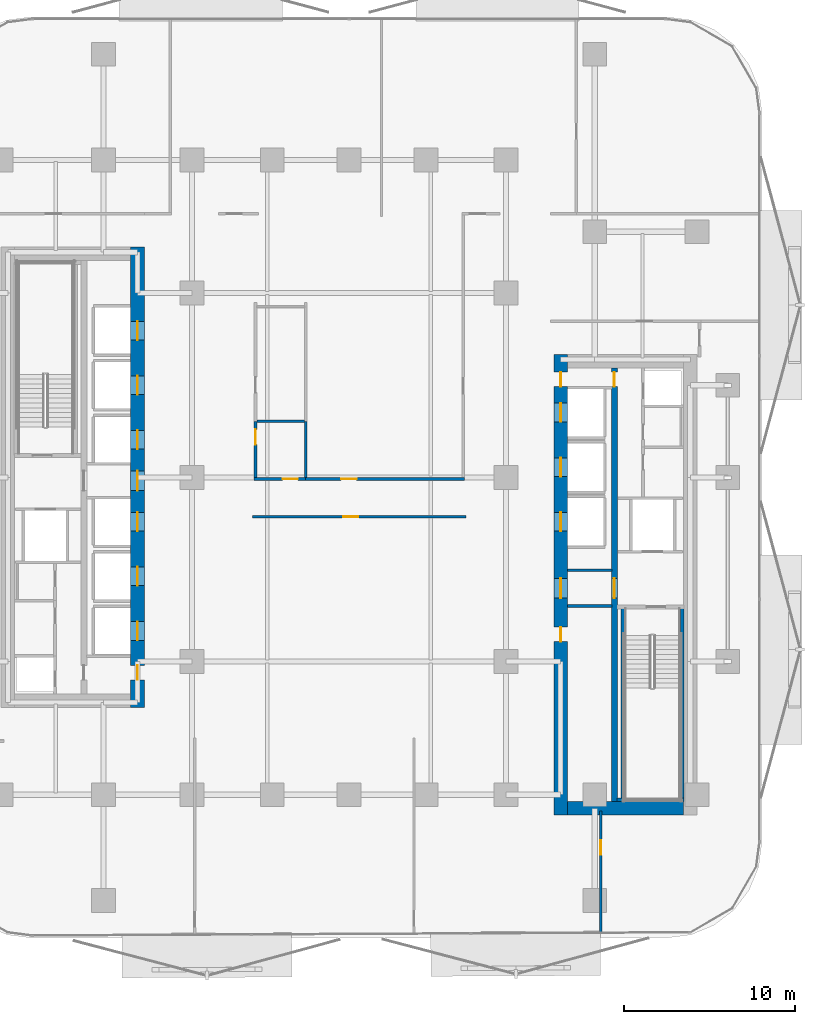
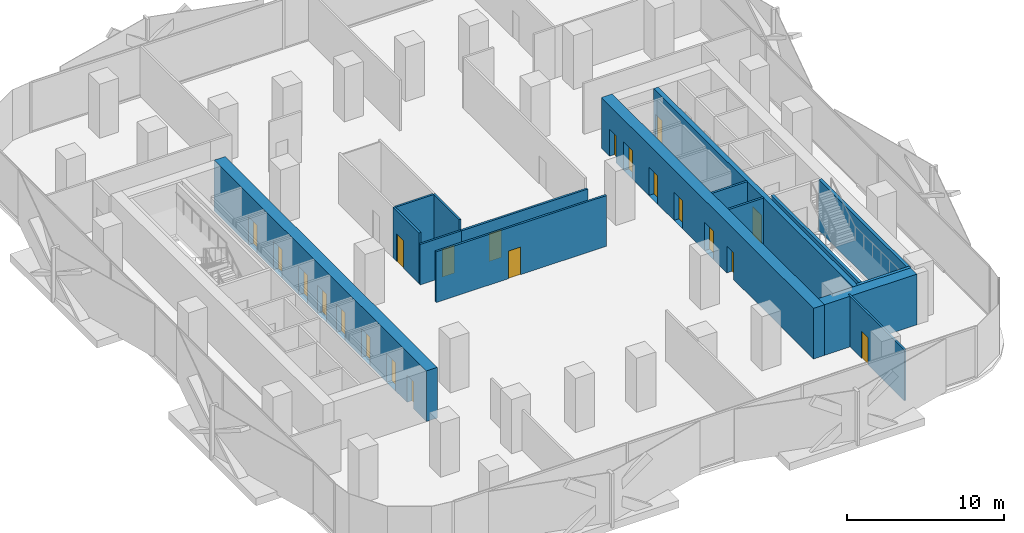
# One storey, part 4 of 16: 21 doors, 16 walls, 21 openings.
"""IFC4 building model written with IfcOpenShell, lengths in metres."""

from ifc_helpers import new_model, si_unit, direction, frame, frame_2d, origin, place, context, subcontext, project, spatial, rectangle, extrude, material, layer, layer_set, type_object, element, fill, save


model = new_model("IFC4")

# Units and contexts
model_context = context("Model", 3, precision=1e-05, world=origin(), true_north=direction((0.0, 1.0)))
body_context = subcontext(model_context, "Body", "Model", "MODEL_VIEW")
ifc_project = project(units=[si_unit("LENGTHUNIT", "METRE"), si_unit("AREAUNIT", "SQUARE_METRE"), si_unit("VOLUMEUNIT", "CUBIC_METRE"), si_unit("PLANEANGLEUNIT", "RADIAN"), si_unit("MASSUNIT", "GRAM", prefix="KILO")], contexts=[model_context])

# Site, building, storey
site_placement = place(None, origin())
site = spatial("IfcSite", under=ifc_project, at=site_placement, CompositionType="ELEMENT")
building_placement = place(site_placement, origin())
building = spatial("IfcBuilding", under=site, at=building_placement, Name="Khairoan Windgate Tower", CompositionType="ELEMENT")
storey_placement = place(building_placement, frame((0.0, 0.0, 55.39990234375)))
storey = spatial("IfcBuildingStorey", under=building, at=storey_placement, Name="L13", CompositionType="ELEMENT", Elevation=55.39990234375)

# Walls
ifc_material_1 = material(Name="Concrete C40/50", Category="concrete")
ifc_layer_1 = layer(ifc_material_1, 0.159912109375, Name="Concrete C40/50")
ifc_layer_set_1 = layer_set([ifc_layer_1], Name="Concrete C40/50")
wall_type_1 = type_object("IfcWallType", Name="Core and Hoistway Enclosure Wall", PredefinedType="STANDARD", material=ifc_layer_set_1)
for number, where, z_axis, x_axis, name in (
    (1, (12.800048828125, -5.449951171875, 0.0), (0.0, 0.0, 1.0), (1.0, 0.0, 0.0), "L13 Core Shaft Wall SW-EV1-L13"),
    (2, (12.800048828125, -7.5400390625, 0.0), (0.0, 0.0, 1.0), (1.0, 0.0, 0.0), "L13 Core Shaft Wall SW-EV2-L13"),
):
    element("IfcWall", number, at=place(storey_placement, frame(where, z_axis=z_axis, x_axis=x_axis)), inside=storey, type_object=wall_type_1, Name=name, PredefinedType="STANDARD", context=body_context, shape_type="SweptSolid", body=[
        extrude(rectangle(XDim=2.599853515625, YDim=0.159912109375, at=frame_2d((1.2998046875, 0.0))), origin(), (0.0, 0.0, 1.0), 3.940185546875),
    ])

# Wall, opening, door
ifc_material_2 = material(Name="Acoustic Fire-Rated Gypsum Partition", Category="gypsum")
ifc_layer_2 = layer(ifc_material_2, 0.139892578125, Name="Acoustic Fire-Rated Gypsum Partition")
ifc_layer_set_2 = layer_set([ifc_layer_2], Name="Acoustic Fire-Rated Gypsum Partition")
wall_type_2 = type_object("IfcWallType", Name="Inter-Tenancy Compartment Wall", PredefinedType="PARTITIONING", material=ifc_layer_set_2)
wall_1_placement = place(storey_placement, frame((14.756103515625, -26.693359375, 0.0), z_axis=(0.0, 0.0, 1.0), x_axis=(0.0, 1.0, 0.0)))
wall_1 = element("IfcWall", 3, at=wall_1_placement, inside=storey, type_object=wall_type_2, Name="L13 Interior Partition 034", PredefinedType="PARTITIONING", context=body_context, shape_type="SweptSolid", body=[
    extrude(rectangle(XDim=7.13330078125, YDim=0.139892578125, at=frame_2d((3.566650390625, 0.0))), origin(), (0.0, 0.0, 1.0), 3.940185546875),
])
opening_1_placement = place(wall_1_placement, frame((4.585693359375, 0.0, 0.0)))
opening_1 = element("IfcOpeningElement", 4, at=opening_1_placement, cuts=wall_1, Name="Opening FD-SRV", PredefinedType="OPENING", context=body_context, shape_type="SweptSolid", body=[
    extrude(rectangle(XDim=0.85009765625, YDim=2.10009765625, at=frame_2d((0.425048828125, 1.050048828125))), frame((0.0, 0.079833984375, 0.0), z_axis=(0.0, -1.0, 0.0), x_axis=(1.0, 0.0, 0.0)), (0.0, 0.0, 1.0), 0.159912109375),
])
ifc_material_3 = material(Name="Steel S355", Category="steel")
door_type_1 = type_object("IfcDoorType", Name="Core Service and Riser Fire Door FD-SRV 850x2100", OperationType="NOTDEFINED", PredefinedType="DOOR", material=ifc_material_3)
door_1_placement = place(opening_1_placement, origin())
door_1 = element("IfcDoor", 5, at=door_1_placement, inside=storey, type_object=door_type_1, Name="L13 L13-45-L13-46 Door", OperationType="SINGLE_SWING_LEFT", OverallHeight=2.10009765625, OverallWidth=0.85009765625, PredefinedType="DOOR", context=body_context, shape_type="SweptSolid", body=[
    extrude(rectangle(XDim=0.85009765625, YDim=2.10009765625, at=frame_2d((0.425048828125, 1.050048828125))), frame((0.0, 0.02490234375, 0.0), z_axis=(0.0, -1.0, 0.0), x_axis=(1.0, 0.0, 0.0)), (0.0, 0.0, 1.0), 0.050048828125),
])
fill(opening_1, door_1)

# Walls
wall_2_placement = place(storey_placement, frame((-5.409912109375, 3.280029296875, 0.0), z_axis=(0.0, 0.0, 1.0), x_axis=(1.0, 0.0, 0.0)))
element("IfcWall", 6, at=wall_2_placement, inside=storey, type_object=wall_type_2, Name="L13 Interior Partition 035", PredefinedType="PARTITIONING", context=body_context, shape_type="SweptSolid", body=[
    extrude(rectangle(XDim=2.7998046875, YDim=0.139892578125, at=frame_2d((1.39990234375, 0.0))), origin(), (0.0, 0.0, 1.0), 3.940185546875),
])
wall_3_placement = place(storey_placement, frame((-2.5400390625, -0.02001953125, 0.0), z_axis=(0.0, 0.0, 1.0), x_axis=(0.0, 1.0, 0.0)))
element("IfcWall", 7, at=wall_3_placement, inside=storey, type_object=wall_type_2, Name="L13 Interior Partition 036", PredefinedType="PARTITIONING", context=body_context, shape_type="SweptSolid", body=[
    extrude(rectangle(XDim=3.300048828125, YDim=0.139892578125, at=frame_2d((1.64990234375, 0.0))), origin(), (0.0, 0.0, 1.0), 3.940185546875),
])

# Wall, opening, door
ifc_material_4 = material(Name="Acoustic Fire-Rated Gypsum Partition", Category="gypsum")
ifc_layer_3 = layer(ifc_material_4, 0.14990234375, Name="Acoustic Fire-Rated Gypsum Partition")
ifc_layer_set_3 = layer_set([ifc_layer_3], Name="Acoustic Fire-Rated Gypsum Partition")
wall_type_3 = type_object("IfcWallType", Name="Rated Corridor Partition Wall", PredefinedType="PARTITIONING", material=ifc_layer_set_3)
wall_4_placement = place(storey_placement, frame((-5.56005859375, -0.094970703125, 0.0), z_axis=(0.0, 0.0, 1.0), x_axis=(1.0, 0.0, 0.0)))
wall_4 = element("IfcWall", 8, at=wall_4_placement, inside=storey, type_object=wall_type_3, Name="L13 Interior Partition 012", PredefinedType="PARTITIONING", context=body_context, shape_type="SweptSolid", body=[
    extrude(rectangle(XDim=3.02001953125, YDim=0.14990234375, at=frame_2d((1.510009765625, 0.0))), origin(), (0.0, 0.0, 1.0), 3.14013671875),
])
opening_2_placement = place(wall_4_placement, frame((1.659912109375, 0.0, 0.0)))
opening_2 = element("IfcOpeningElement", 9, at=opening_2_placement, cuts=wall_4, Name="Opening FD-ENT", PredefinedType="OPENING", context=body_context, shape_type="SweptSolid", body=[
    extrude(rectangle(XDim=0.89990234375, YDim=2.14990234375, at=frame_2d((0.449951171875, 1.074951171875))), frame((0.0, 0.0849609375, 0.0), z_axis=(0.0, -1.0, 0.0), x_axis=(1.0, 0.0, 0.0)), (0.0, 0.0, 1.0), 0.169921875),
])
ifc_material_5 = material(Name="Timber Fire-Rated Core", Category="wood")
door_type_2 = type_object("IfcDoorType", Name="Unit and Office Fire Entrance Door FD-ENT 900x2150", OperationType="NOTDEFINED", PredefinedType="DOOR", material=ifc_material_5)
door_2_placement = place(opening_2_placement, origin())
door_2 = element("IfcDoor", 10, at=door_2_placement, inside=storey, type_object=door_type_2, Name="L13 L13-31-L13-47 Door", OperationType="SINGLE_SWING_LEFT", OverallHeight=2.14990234375, OverallWidth=0.89990234375, PredefinedType="DOOR", context=body_context, shape_type="SweptSolid", body=[
    extrude(rectangle(XDim=0.89990234375, YDim=2.14990234375, at=frame_2d((0.449951171875, 1.074951171875))), frame((0.0, 0.02490234375, 0.0), z_axis=(0.0, -1.0, 0.0), x_axis=(1.0, 0.0, 0.0)), (0.0, 0.0, 1.0), 0.050048828125),
])
fill(opening_2, door_2)

wall_5_placement = place(storey_placement, frame((-2.5400390625, -0.094970703125, 0.0), z_axis=(0.0, 0.0, 1.0), x_axis=(1.0, 0.0, 0.0)))
wall_5 = element("IfcWall", 11, at=wall_5_placement, inside=storey, type_object=wall_type_3, Name="L13 Interior Partition 013", PredefinedType="PARTITIONING", context=body_context, shape_type="SweptSolid", body=[
    extrude(rectangle(XDim=9.300048828125, YDim=0.14990234375, at=frame_2d((4.64990234375, 0.0))), origin(), (0.0, 0.0, 1.0), 3.14013671875),
])
opening_3_placement = place(wall_5_placement, frame((2.077392578125, 0.0, 0.0)))
opening_3 = element("IfcOpeningElement", 12, at=opening_3_placement, cuts=wall_5, Name="Opening FD-ENT", PredefinedType="OPENING", context=body_context, shape_type="SweptSolid", body=[
    extrude(rectangle(XDim=0.89990234375, YDim=2.14990234375, at=frame_2d((0.449951171875, 1.074951171875))), frame((0.0, 0.0849609375, 0.0), z_axis=(0.0, -1.0, 0.0), x_axis=(1.0, 0.0, 0.0)), (0.0, 0.0, 1.0), 0.169921875),
])
door_3_placement = place(opening_3_placement, origin())
door_3 = element("IfcDoor", 13, at=door_3_placement, inside=storey, type_object=door_type_2, Name="L13 L13-31-L13-49 Door", OperationType="SINGLE_SWING_RIGHT", OverallHeight=2.14990234375, OverallWidth=0.89990234375, PredefinedType="DOOR", context=body_context, shape_type="SweptSolid", body=[
    extrude(rectangle(XDim=0.89990234375, YDim=2.14990234375, at=frame_2d((0.449951171875, 1.074951171875))), frame((0.0, 0.02490234375, 0.0), z_axis=(0.0, -1.0, 0.0), x_axis=(1.0, 0.0, 0.0)), (0.0, 0.0, 1.0), 0.050048828125),
])
fill(opening_3, door_3)

wall_6_placement = place(storey_placement, frame((-5.659912109375, -2.304931640625, 0.0), z_axis=(0.0, 0.0, 1.0), x_axis=(1.0, 0.0, 0.0)))
wall_6 = element("IfcWall", 14, at=wall_6_placement, inside=storey, type_object=wall_type_3, Name="L13 Interior Partition 014", PredefinedType="PARTITIONING", context=body_context, shape_type="SweptSolid", body=[
    extrude(rectangle(XDim=12.52001953125, YDim=0.14990234375, at=frame_2d((6.260009765625, 0.0))), origin(), (0.0, 0.0, 1.0), 3.940185546875),
])
opening_4_placement = place(wall_6_placement, frame((5.305419921875, 0.0, 0.0)))
opening_4 = element("IfcOpeningElement", 15, at=opening_4_placement, cuts=wall_6, Name="Opening FD-ENT", PredefinedType="OPENING", context=body_context, shape_type="SweptSolid", body=[
    extrude(rectangle(XDim=0.89990234375, YDim=2.14990234375, at=frame_2d((0.449951171875, 1.074951171875))), frame((0.0, 0.0849609375, 0.0), z_axis=(0.0, -1.0, 0.0), x_axis=(1.0, 0.0, 0.0)), (0.0, 0.0, 1.0), 0.169921875),
])
door_4_placement = place(opening_4_placement, origin())
door_4 = element("IfcDoor", 16, at=door_4_placement, inside=storey, type_object=door_type_2, Name="L13 L13-31-L13-50 Door", OperationType="SINGLE_SWING_LEFT", OverallHeight=2.14990234375, OverallWidth=0.89990234375, PredefinedType="DOOR", context=body_context, shape_type="SweptSolid", body=[
    extrude(rectangle(XDim=0.89990234375, YDim=2.14990234375, at=frame_2d((0.449951171875, 1.074951171875))), frame((0.0, 0.02490234375, 0.0), z_axis=(0.0, -1.0, 0.0), x_axis=(1.0, 0.0, 0.0)), (0.0, 0.0, 1.0), 0.050048828125),
])
fill(opening_4, door_4)

wall_7_placement = place(storey_placement, frame((-5.485107421875, -0.02001953125, 0.0), z_axis=(0.0, 0.0, 1.0), x_axis=(0.0, 1.0, 0.0)))
wall_7 = element("IfcWall", 17, at=wall_7_placement, inside=storey, type_object=wall_type_3, Name="L13 Interior Partition 016", PredefinedType="PARTITIONING", context=body_context, shape_type="SweptSolid", body=[
    extrude(rectangle(XDim=3.300048828125, YDim=0.14990234375, at=frame_2d((1.64990234375, 0.0))), origin(), (0.0, 0.0, 1.0), 3.940185546875),
])
opening_5_placement = place(wall_7_placement, frame((1.93994140625, 0.0, 0.0)))
opening_5 = element("IfcOpeningElement", 18, at=opening_5_placement, cuts=wall_7, Name="Opening FD-ENT", PredefinedType="OPENING", context=body_context, shape_type="SweptSolid", body=[
    extrude(rectangle(XDim=0.89990234375, YDim=2.14990234375, at=frame_2d((0.449951171875, 1.074951171875))), frame((0.0, 0.0849609375, 0.0), z_axis=(0.0, -1.0, 0.0), x_axis=(1.0, 0.0, 0.0)), (0.0, 0.0, 1.0), 0.169921875),
])
door_5_placement = place(opening_5_placement, origin())
door_5 = element("IfcDoor", 19, at=door_5_placement, inside=storey, type_object=door_type_2, Name="L13 L13-32-L13-47 Door", OperationType="SINGLE_SWING_LEFT", OverallHeight=2.14990234375, OverallWidth=0.89990234375, PredefinedType="DOOR", context=body_context, shape_type="SweptSolid", body=[
    extrude(rectangle(XDim=0.89990234375, YDim=2.14990234375, at=frame_2d((0.449951171875, 1.074951171875))), frame((0.0, 0.02490234375, 0.0), z_axis=(0.0, -1.0, 0.0), x_axis=(1.0, 0.0, 0.0)), (0.0, 0.0, 1.0), 0.050048828125),
])
fill(opening_5, door_5)

# Wall, openings, doors
ifc_material_6 = material(Name="Concrete C70/85", Category="concrete")
ifc_layer_4 = layer(ifc_material_6, 0.800048828125, Name="Concrete C70/85")
ifc_layer_set_4 = layer_set([ifc_layer_4], Name="Concrete C70/85")
wall_type_4 = type_object("IfcWallType", Name="Shear Wall CW-E1 800mm", PredefinedType="SHEAR", material=ifc_layer_set_4)
wall_8_placement = place(storey_placement, frame((12.39990234375, -19.800048828125, 0.0), z_axis=(0.0, 0.0, 1.0), x_axis=(0.0, 1.0, 0.0)))
wall_8 = element("IfcWall", 20, at=wall_8_placement, inside=storey, type_object=wall_type_4, Name="E Core West Shear Wall L13", PredefinedType="SHEAR", context=body_context, shape_type="SweptSolid", body=[
    extrude(rectangle(XDim=27.0, YDim=0.800048828125, at=frame_2d((13.5, 0.0))), origin(), (0.0, 0.0, 1.0), 3.940185546875),
])
opening_6_placement = place(wall_8_placement, frame((23.050048828125, 0.0, 0.0)))
opening_6 = element("IfcOpeningElement", 21, at=opening_6_placement, cuts=wall_8, Name="Opening LD-PL", PredefinedType="OPENING", context=body_context, shape_type="SweptSolid", body=[
    extrude(rectangle(XDim=1.10009765625, YDim=2.199951171875, at=frame_2d((0.550048828125, 1.10009765625))), frame((0.0, 0.409912109375, 0.0), z_axis=(0.0, -1.0, 0.0), x_axis=(1.0, 0.0, 0.0)), (0.0, 0.0, 1.0), 0.820068359375),
])
opening_7_placement = place(wall_8_placement, frame((19.85009765625, 0.0, 0.0)))
opening_7 = element("IfcOpeningElement", 22, at=opening_7_placement, cuts=wall_8, Name="Opening LD-PL", PredefinedType="OPENING", context=body_context, shape_type="SweptSolid", body=[
    extrude(rectangle(XDim=1.10009765625, YDim=2.199951171875, at=frame_2d((0.550048828125, 1.10009765625))), frame((0.0, 0.409912109375, 0.0), z_axis=(0.0, -1.0, 0.0), x_axis=(1.0, 0.0, 0.0)), (0.0, 0.0, 1.0), 0.820068359375),
])
opening_8_placement = place(wall_8_placement, frame((16.64990234375, 0.0, 0.0)))
opening_8 = element("IfcOpeningElement", 23, at=opening_8_placement, cuts=wall_8, Name="Opening LD-PL", PredefinedType="OPENING", context=body_context, shape_type="SweptSolid", body=[
    extrude(rectangle(XDim=1.10009765625, YDim=2.199951171875, at=frame_2d((0.550048828125, 1.10009765625))), frame((0.0, 0.409912109375, 0.0), z_axis=(0.0, -1.0, 0.0), x_axis=(1.0, 0.0, 0.0)), (0.0, 0.0, 1.0), 0.820068359375),
])
opening_9_placement = place(wall_8_placement, frame((10.175048828125, 0.0, 0.0)))
opening_9 = element("IfcOpeningElement", 24, at=opening_9_placement, cuts=wall_8, Name="Opening FD-SRV", PredefinedType="OPENING", context=body_context, shape_type="SweptSolid", body=[
    extrude(rectangle(XDim=0.85009765625, YDim=2.10009765625, at=frame_2d((0.425048828125, 1.050048828125))), frame((0.0, 0.409912109375, 0.0), z_axis=(0.0, -1.0, 0.0), x_axis=(1.0, 0.0, 0.0)), (0.0, 0.0, 1.0), 0.820068359375),
])
opening_10_placement = place(wall_8_placement, frame((12.72509765625, 0.0, 0.0)))
opening_10 = element("IfcOpeningElement", 25, at=opening_10_placement, cuts=wall_8, Name="Opening FD-FFL", PredefinedType="OPENING", context=body_context, shape_type="SweptSolid", body=[
    extrude(rectangle(XDim=1.14990234375, YDim=2.199951171875, at=frame_2d((0.574951171875, 1.10009765625))), frame((0.0, 0.409912109375, 0.0), z_axis=(0.0, -1.0, 0.0), x_axis=(1.0, 0.0, 0.0)), (0.0, 0.0, 1.0), 0.820068359375),
])
opening_11_placement = place(wall_8_placement, frame((25.125, 0.0, 0.0)))
opening_11 = element("IfcOpeningElement", 26, at=opening_11_placement, cuts=wall_8, Name="Opening FD-SRV", PredefinedType="OPENING", context=body_context, shape_type="SweptSolid", body=[
    extrude(rectangle(XDim=0.85009765625, YDim=2.10009765625, at=frame_2d((0.425048828125, 1.050048828125))), frame((0.0, 0.409912109375, 0.0), z_axis=(0.0, -1.0, 0.0), x_axis=(1.0, 0.0, 0.0)), (0.0, 0.0, 1.0), 0.820068359375),
])
door_6_placement = place(opening_9_placement, origin())
door_6 = element("IfcDoor", 27, at=door_6_placement, inside=storey, type_object=door_type_1, Name="L13 East Core Service Room Door 1", OperationType="SINGLE_SWING_LEFT", OverallHeight=2.10009765625, OverallWidth=0.85009765625, PredefinedType="DOOR", context=body_context, shape_type="SweptSolid", body=[
    extrude(rectangle(XDim=0.85009765625, YDim=2.10009765625, at=frame_2d((0.425048828125, 1.050048828125))), frame((0.0, 0.02490234375, 0.0), z_axis=(0.0, -1.0, 0.0), x_axis=(1.0, 0.0, 0.0)), (0.0, 0.0, 1.0), 0.050048828125),
])
fill(opening_9, door_6)
door_7_placement = place(opening_11_placement, origin())
door_7 = element("IfcDoor", 28, at=door_7_placement, inside=storey, type_object=door_type_1, Name="L13 East Core Service Vestibule Outer Door", OperationType="SINGLE_SWING_RIGHT", OverallHeight=2.10009765625, OverallWidth=0.85009765625, PredefinedType="DOOR", context=body_context, shape_type="SweptSolid", body=[
    extrude(rectangle(XDim=0.85009765625, YDim=2.10009765625, at=frame_2d((0.425048828125, 1.050048828125))), frame((0.0, 0.02490234375, 0.0), z_axis=(0.0, -1.0, 0.0), x_axis=(1.0, 0.0, 0.0)), (0.0, 0.0, 1.0), 0.050048828125),
])
fill(opening_11, door_7)
ifc_material_7 = material(Name="Steel S355", Category="steel")
door_type_3 = type_object("IfcDoorType", Name="Firefighting Lobby Fire Door FD-FFL 1150x2200", OperationType="NOTDEFINED", PredefinedType="DOOR", material=ifc_material_7)
door_8_placement = place(opening_10_placement, origin())
door_8 = element("IfcDoor", 29, at=door_8_placement, inside=storey, type_object=door_type_3, Name="L13 East Core Vestibule Entry Door", OperationType="SINGLE_SWING_RIGHT", OverallHeight=2.199951171875, OverallWidth=1.14990234375, PredefinedType="DOOR", context=body_context, shape_type="SweptSolid", body=[
    extrude(rectangle(XDim=1.14990234375, YDim=2.199951171875, at=frame_2d((0.574951171875, 1.10009765625))), frame((0.0, 0.02490234375, 0.0), z_axis=(0.0, -1.0, 0.0), x_axis=(1.0, 0.0, 0.0)), (0.0, 0.0, 1.0), 0.050048828125),
])
fill(opening_10, door_8)
ifc_material_8 = material(Name="Anodised Bronze Aluminium 6063-T6", Category="aluminium")
door_type_4 = type_object("IfcDoorType", Name="Passenger Lift Sliding Landing Door LD-PL 1100x2200", OperationType="DOUBLE_DOOR_SLIDING", PredefinedType="DOOR", material=ifc_material_8)
door_9_placement = place(opening_6_placement, origin())
door_9 = element("IfcDoor", 30, at=door_9_placement, inside=storey, type_object=door_type_4, Name="L13 Lift PL7 Sliding Landing Door", OperationType="DOUBLE_DOOR_SLIDING", OverallHeight=2.199951171875, OverallWidth=1.10009765625, PredefinedType="DOOR", context=body_context, shape_type="SweptSolid", body=[
    extrude(rectangle(XDim=1.10009765625, YDim=2.199951171875, at=frame_2d((0.550048828125, 1.10009765625))), frame((0.0, 0.02490234375, 0.0), z_axis=(0.0, -1.0, 0.0), x_axis=(1.0, 0.0, 0.0)), (0.0, 0.0, 1.0), 0.050048828125),
])
fill(opening_6, door_9)
door_10_placement = place(opening_7_placement, origin())
door_10 = element("IfcDoor", 31, at=door_10_placement, inside=storey, type_object=door_type_4, Name="L13 Lift PL8 Sliding Landing Door", OperationType="DOUBLE_DOOR_SLIDING", OverallHeight=2.199951171875, OverallWidth=1.10009765625, PredefinedType="DOOR", context=body_context, shape_type="SweptSolid", body=[
    extrude(rectangle(XDim=1.10009765625, YDim=2.199951171875, at=frame_2d((0.550048828125, 1.10009765625))), frame((0.0, 0.02490234375, 0.0), z_axis=(0.0, -1.0, 0.0), x_axis=(1.0, 0.0, 0.0)), (0.0, 0.0, 1.0), 0.050048828125),
])
fill(opening_7, door_10)
door_11_placement = place(opening_8_placement, origin())
door_11 = element("IfcDoor", 32, at=door_11_placement, inside=storey, type_object=door_type_4, Name="L13 Lift PL9 Sliding Landing Door", OperationType="DOUBLE_DOOR_SLIDING", OverallHeight=2.199951171875, OverallWidth=1.10009765625, PredefinedType="DOOR", context=body_context, shape_type="SweptSolid", body=[
    extrude(rectangle(XDim=1.10009765625, YDim=2.199951171875, at=frame_2d((0.550048828125, 1.10009765625))), frame((0.0, 0.02490234375, 0.0), z_axis=(0.0, -1.0, 0.0), x_axis=(1.0, 0.0, 0.0)), (0.0, 0.0, 1.0), 0.050048828125),
])
fill(opening_8, door_11)

# Wall
wall_9_placement = place(storey_placement, frame((12.800048828125, -19.39990234375, 0.0), z_axis=(0.0, 0.0, 1.0), x_axis=(1.0, 0.0, 0.0)))
element("IfcWall", 33, at=wall_9_placement, inside=storey, type_object=wall_type_4, Name="E Core South Shear Wall L13", PredefinedType="SHEAR", context=body_context, shape_type="SweptSolid", body=[
    extrude(rectangle(XDim=6.800048828125, YDim=0.800048828125, at=frame_2d((3.39990234375, 0.0))), origin(), (0.0, 0.0, 1.0), 3.940185546875),
])

# Wall, openings, doors
ifc_material_9 = material(Name="Concrete C70/85", Category="concrete")
ifc_layer_5 = layer(ifc_material_9, 0.800048828125, Name="Concrete C70/85")
ifc_layer_set_5 = layer_set([ifc_layer_5], Name="Concrete C70/85")
wall_type_5 = type_object("IfcWallType", Name="Shear Wall CW-W1 800mm", PredefinedType="SHEAR", material=ifc_layer_set_5)
wall_10_placement = place(storey_placement, frame((-12.39990234375, -13.5, 0.0), z_axis=(0.0, 0.0, 1.0), x_axis=(0.0, 1.0, 0.0)))
wall_10 = element("IfcWall", 34, at=wall_10_placement, inside=storey, type_object=wall_type_5, Name="W Core East Shear Wall L13", PredefinedType="SHEAR", context=body_context, shape_type="SweptSolid", body=[
    extrude(rectangle(XDim=27.0, YDim=0.800048828125, at=frame_2d((13.5, 0.0))), origin(), (0.0, 0.0, 1.0), 3.940185546875),
])
opening_12_placement = place(wall_10_placement, frame((21.550048828125, 0.0, 0.0)))
opening_12 = element("IfcOpeningElement", 35, at=opening_12_placement, cuts=wall_10, Name="Opening LD-PL", PredefinedType="OPENING", context=body_context, shape_type="SweptSolid", body=[
    extrude(rectangle(XDim=1.10009765625, YDim=2.199951171875, at=frame_2d((0.550048828125, 1.10009765625))), frame((0.0, 0.409912109375, 0.0), z_axis=(0.0, -1.0, 0.0), x_axis=(1.0, 0.0, 0.0)), (0.0, 0.0, 1.0), 0.820068359375),
])
opening_13_placement = place(wall_10_placement, frame((18.35009765625, 0.0, 0.0)))
opening_13 = element("IfcOpeningElement", 36, at=opening_13_placement, cuts=wall_10, Name="Opening LD-PL", PredefinedType="OPENING", context=body_context, shape_type="SweptSolid", body=[
    extrude(rectangle(XDim=1.10009765625, YDim=2.199951171875, at=frame_2d((0.550048828125, 1.10009765625))), frame((0.0, 0.409912109375, 0.0), z_axis=(0.0, -1.0, 0.0), x_axis=(1.0, 0.0, 0.0)), (0.0, 0.0, 1.0), 0.820068359375),
])
opening_14_placement = place(wall_10_placement, frame((15.14990234375, 0.0, 0.0)))
opening_14 = element("IfcOpeningElement", 37, at=opening_14_placement, cuts=wall_10, Name="Opening LD-PL", PredefinedType="OPENING", context=body_context, shape_type="SweptSolid", body=[
    extrude(rectangle(XDim=1.10009765625, YDim=2.199951171875, at=frame_2d((0.550048828125, 1.10009765625))), frame((0.0, 0.409912109375, 0.0), z_axis=(0.0, -1.0, 0.0), x_axis=(1.0, 0.0, 0.0)), (0.0, 0.0, 1.0), 0.820068359375),
])
opening_15_placement = place(wall_10_placement, frame((10.35009765625, 0.0, 0.0)))
opening_15 = element("IfcOpeningElement", 38, at=opening_15_placement, cuts=wall_10, Name="Opening LD-PL", PredefinedType="OPENING", context=body_context, shape_type="SweptSolid", body=[
    extrude(rectangle(XDim=1.10009765625, YDim=2.199951171875, at=frame_2d((0.550048828125, 1.10009765625))), frame((0.0, 0.409912109375, 0.0), z_axis=(0.0, -1.0, 0.0), x_axis=(1.0, 0.0, 0.0)), (0.0, 0.0, 1.0), 0.820068359375),
])
opening_16_placement = place(wall_10_placement, frame((7.14990234375, 0.0, 0.0)))
opening_16 = element("IfcOpeningElement", 39, at=opening_16_placement, cuts=wall_10, Name="Opening LD-PL", PredefinedType="OPENING", context=body_context, shape_type="SweptSolid", body=[
    extrude(rectangle(XDim=1.10009765625, YDim=2.199951171875, at=frame_2d((0.550048828125, 1.10009765625))), frame((0.0, 0.409912109375, 0.0), z_axis=(0.0, -1.0, 0.0), x_axis=(1.0, 0.0, 0.0)), (0.0, 0.0, 1.0), 0.820068359375),
])
opening_17_placement = place(wall_10_placement, frame((3.949951171875, 0.0, 0.0)))
opening_17 = element("IfcOpeningElement", 40, at=opening_17_placement, cuts=wall_10, Name="Opening LD-PL", PredefinedType="OPENING", context=body_context, shape_type="SweptSolid", body=[
    extrude(rectangle(XDim=1.10009765625, YDim=2.199951171875, at=frame_2d((0.550048828125, 1.10009765625))), frame((0.0, 0.409912109375, 0.0), z_axis=(0.0, -1.0, 0.0), x_axis=(1.0, 0.0, 0.0)), (0.0, 0.0, 1.0), 0.820068359375),
])
opening_18_placement = place(wall_10_placement, frame((12.72509765625, 0.0, 0.0)))
opening_18 = element("IfcOpeningElement", 41, at=opening_18_placement, cuts=wall_10, Name="Opening FD-FFL", PredefinedType="OPENING", context=body_context, shape_type="SweptSolid", body=[
    extrude(rectangle(XDim=1.14990234375, YDim=2.199951171875, at=frame_2d((0.574951171875, 1.10009765625))), frame((0.0, 0.409912109375, 0.0), z_axis=(0.0, -1.0, 0.0), x_axis=(1.0, 0.0, 0.0)), (0.0, 0.0, 1.0), 0.820068359375),
])
opening_19_placement = place(wall_10_placement, frame((1.625, 0.0, 0.0)))
opening_19 = element("IfcOpeningElement", 42, at=opening_19_placement, cuts=wall_10, Name="Opening FD-SRV", PredefinedType="OPENING", context=body_context, shape_type="SweptSolid", body=[
    extrude(rectangle(XDim=0.85009765625, YDim=2.10009765625, at=frame_2d((0.425048828125, 1.050048828125))), frame((0.0, 0.409912109375, 0.0), z_axis=(0.0, -1.0, 0.0), x_axis=(1.0, 0.0, 0.0)), (0.0, 0.0, 1.0), 0.820068359375),
])
door_12_placement = place(opening_19_placement, origin())
door_12 = element("IfcDoor", 43, at=door_12_placement, inside=storey, type_object=door_type_1, Name="L13 West Core Service Vestibule Outer Door", OperationType="SINGLE_SWING_RIGHT", OverallHeight=2.10009765625, OverallWidth=0.85009765625, PredefinedType="DOOR", context=body_context, shape_type="SweptSolid", body=[
    extrude(rectangle(XDim=0.85009765625, YDim=2.10009765625, at=frame_2d((0.425048828125, 1.050048828125))), frame((0.0, 0.02490234375, 0.0), z_axis=(0.0, -1.0, 0.0), x_axis=(1.0, 0.0, 0.0)), (0.0, 0.0, 1.0), 0.050048828125),
])
fill(opening_19, door_12)
door_13_placement = place(opening_18_placement, origin())
door_13 = element("IfcDoor", 44, at=door_13_placement, inside=storey, type_object=door_type_3, Name="L13 West Core Vestibule Entry Door", OperationType="SINGLE_SWING_RIGHT", OverallHeight=2.199951171875, OverallWidth=1.14990234375, PredefinedType="DOOR", context=body_context, shape_type="SweptSolid", body=[
    extrude(rectangle(XDim=1.14990234375, YDim=2.199951171875, at=frame_2d((0.574951171875, 1.10009765625))), frame((0.0, 0.02490234375, 0.0), z_axis=(0.0, -1.0, 0.0), x_axis=(1.0, 0.0, 0.0)), (0.0, 0.0, 1.0), 0.050048828125),
])
fill(opening_18, door_13)
door_14_placement = place(opening_12_placement, origin())
door_14 = element("IfcDoor", 45, at=door_14_placement, inside=storey, type_object=door_type_4, Name="L13 Lift PL1 Sliding Landing Door", OperationType="DOUBLE_DOOR_SLIDING", OverallHeight=2.199951171875, OverallWidth=1.10009765625, PredefinedType="DOOR", context=body_context, shape_type="SweptSolid", body=[
    extrude(rectangle(XDim=1.10009765625, YDim=2.199951171875, at=frame_2d((0.550048828125, 1.10009765625))), frame((0.0, 0.02490234375, 0.0), z_axis=(0.0, -1.0, 0.0), x_axis=(1.0, 0.0, 0.0)), (0.0, 0.0, 1.0), 0.050048828125),
])
fill(opening_12, door_14)
door_15_placement = place(opening_13_placement, origin())
door_15 = element("IfcDoor", 46, at=door_15_placement, inside=storey, type_object=door_type_4, Name="L13 Lift PL2 Sliding Landing Door", OperationType="DOUBLE_DOOR_SLIDING", OverallHeight=2.199951171875, OverallWidth=1.10009765625, PredefinedType="DOOR", context=body_context, shape_type="SweptSolid", body=[
    extrude(rectangle(XDim=1.10009765625, YDim=2.199951171875, at=frame_2d((0.550048828125, 1.10009765625))), frame((0.0, 0.02490234375, 0.0), z_axis=(0.0, -1.0, 0.0), x_axis=(1.0, 0.0, 0.0)), (0.0, 0.0, 1.0), 0.050048828125),
])
fill(opening_13, door_15)
door_16_placement = place(opening_14_placement, origin())
door_16 = element("IfcDoor", 47, at=door_16_placement, inside=storey, type_object=door_type_4, Name="L13 Lift PL3 Sliding Landing Door", OperationType="DOUBLE_DOOR_SLIDING", OverallHeight=2.199951171875, OverallWidth=1.10009765625, PredefinedType="DOOR", context=body_context, shape_type="SweptSolid", body=[
    extrude(rectangle(XDim=1.10009765625, YDim=2.199951171875, at=frame_2d((0.550048828125, 1.10009765625))), frame((0.0, 0.02490234375, 0.0), z_axis=(0.0, -1.0, 0.0), x_axis=(1.0, 0.0, 0.0)), (0.0, 0.0, 1.0), 0.050048828125),
])
fill(opening_14, door_16)
door_17_placement = place(opening_15_placement, origin())
door_17 = element("IfcDoor", 48, at=door_17_placement, inside=storey, type_object=door_type_4, Name="L13 Lift PL4 Sliding Landing Door", OperationType="DOUBLE_DOOR_SLIDING", OverallHeight=2.199951171875, OverallWidth=1.10009765625, PredefinedType="DOOR", context=body_context, shape_type="SweptSolid", body=[
    extrude(rectangle(XDim=1.10009765625, YDim=2.199951171875, at=frame_2d((0.550048828125, 1.10009765625))), frame((0.0, 0.02490234375, 0.0), z_axis=(0.0, -1.0, 0.0), x_axis=(1.0, 0.0, 0.0)), (0.0, 0.0, 1.0), 0.050048828125),
])
fill(opening_15, door_17)
door_18_placement = place(opening_16_placement, origin())
door_18 = element("IfcDoor", 49, at=door_18_placement, inside=storey, type_object=door_type_4, Name="L13 Lift PL5 Sliding Landing Door", OperationType="DOUBLE_DOOR_SLIDING", OverallHeight=2.199951171875, OverallWidth=1.10009765625, PredefinedType="DOOR", context=body_context, shape_type="SweptSolid", body=[
    extrude(rectangle(XDim=1.10009765625, YDim=2.199951171875, at=frame_2d((0.550048828125, 1.10009765625))), frame((0.0, 0.02490234375, 0.0), z_axis=(0.0, -1.0, 0.0), x_axis=(1.0, 0.0, 0.0)), (0.0, 0.0, 1.0), 0.050048828125),
])
fill(opening_16, door_18)
door_19_placement = place(opening_17_placement, origin())
door_19 = element("IfcDoor", 50, at=door_19_placement, inside=storey, type_object=door_type_4, Name="L13 Lift PL6 Sliding Landing Door", OperationType="DOUBLE_DOOR_SLIDING", OverallHeight=2.199951171875, OverallWidth=1.10009765625, PredefinedType="DOOR", context=body_context, shape_type="SweptSolid", body=[
    extrude(rectangle(XDim=1.10009765625, YDim=2.199951171875, at=frame_2d((0.550048828125, 1.10009765625))), frame((0.0, 0.02490234375, 0.0), z_axis=(0.0, -1.0, 0.0), x_axis=(1.0, 0.0, 0.0)), (0.0, 0.0, 1.0), 0.050048828125),
])
fill(opening_17, door_19)

ifc_material_10 = material(Name="Concrete C60/75", Category="concrete")
ifc_layer_6 = layer(ifc_material_10, 0.35009765625, Name="Concrete C60/75")
ifc_layer_set_6 = layer_set([ifc_layer_6], Name="Concrete C60/75")
wall_type_6 = type_object("IfcWallType", Name="Shear Wall SW-1 350mm", PredefinedType="SHEAR", material=ifc_layer_set_6)
wall_11_placement = place(storey_placement, frame((15.550048828125, -19.0, 0.0), z_axis=(0.0, 0.0, 1.0), x_axis=(0.0, 1.0, 0.0)))
wall_11 = element("IfcWall", 51, at=wall_11_placement, inside=storey, type_object=wall_type_6, Name="E Core Spine Shear Wall L13", PredefinedType="SHEAR", context=body_context, shape_type="SweptSolid", body=[
    extrude(rectangle(XDim=25.39990234375, YDim=0.35009765625, at=frame_2d((12.699951171875, 0.0))), origin(), (0.0, 0.0, 1.0), 3.940185546875),
])
opening_20_placement = place(wall_11_placement, frame((11.925048828125, 0.0, 0.0)))
opening_20 = element("IfcOpeningElement", 52, at=opening_20_placement, cuts=wall_11, Name="Opening FD-FFL", PredefinedType="OPENING", context=body_context, shape_type="SweptSolid", body=[
    extrude(rectangle(XDim=1.14990234375, YDim=2.199951171875, at=frame_2d((0.574951171875, 1.10009765625))), frame((0.0, 0.18505859375, 0.0), z_axis=(0.0, -1.0, 0.0), x_axis=(1.0, 0.0, 0.0)), (0.0, 0.0, 1.0), 0.3701171875),
])
opening_21_placement = place(wall_11_placement, frame((24.324951171875, 0.0, 0.0)))
opening_21 = element("IfcOpeningElement", 53, at=opening_21_placement, cuts=wall_11, Name="Opening FD-SRV", PredefinedType="OPENING", context=body_context, shape_type="SweptSolid", body=[
    extrude(rectangle(XDim=0.85009765625, YDim=2.10009765625, at=frame_2d((0.425048828125, 1.050048828125))), frame((0.0, 0.18505859375, 0.0), z_axis=(0.0, -1.0, 0.0), x_axis=(1.0, 0.0, 0.0)), (0.0, 0.0, 1.0), 0.3701171875),
])
door_20_placement = place(opening_21_placement, origin())
door_20 = element("IfcDoor", 54, at=door_20_placement, inside=storey, type_object=door_type_1, Name="L13 East Core Service Passage Inner Door", OperationType="SINGLE_SWING_LEFT", OverallHeight=2.10009765625, OverallWidth=0.85009765625, PredefinedType="DOOR", context=body_context, shape_type="SweptSolid", body=[
    extrude(rectangle(XDim=0.85009765625, YDim=2.10009765625, at=frame_2d((0.425048828125, 1.050048828125))), frame((0.0, 0.02490234375, 0.0), z_axis=(0.0, -1.0, 0.0), x_axis=(1.0, 0.0, 0.0)), (0.0, 0.0, 1.0), 0.050048828125),
])
fill(opening_21, door_20)
door_21_placement = place(opening_20_placement, origin())
door_21 = element("IfcDoor", 55, at=door_21_placement, inside=storey, type_object=door_type_3, Name="L13 East Firefighting Lobby Fire Door", OperationType="SINGLE_SWING_LEFT", OverallHeight=2.199951171875, OverallWidth=1.14990234375, PredefinedType="DOOR", context=body_context, shape_type="SweptSolid", body=[
    extrude(rectangle(XDim=1.14990234375, YDim=2.199951171875, at=frame_2d((0.574951171875, 1.10009765625))), frame((0.0, 0.02490234375, 0.0), z_axis=(0.0, -1.0, 0.0), x_axis=(1.0, 0.0, 0.0)), (0.0, 0.0, 1.0), 0.050048828125),
])
fill(opening_20, door_21)

# Walls
ifc_material_11 = material(Name="Concrete C50/60", Category="concrete")
ifc_layer_7 = layer(ifc_material_11, 0.219970703125, Name="Concrete C50/60")
ifc_layer_set_7 = layer_set([ifc_layer_7], Name="Concrete C50/60")
wall_type_7 = type_object("IfcWallType", Name="Shear Wall SW-ST 220mm", PredefinedType="SHEAR", material=ifc_layer_set_7)
for number, where, z_axis, x_axis, name in (
    (56, (16.0400390625, -18.889892578125, 0.0), (0.0, 0.0, 1.0), (0.0, 1.0, 0.0), "L13 Stair ST1 West Bearing Wall"),
    (57, (19.530029296875, -18.889892578125, 0.0), (0.0, 0.0, 1.0), (0.0, 1.0, 0.0), "L13 Stair ST1 East Bearing Wall"),
):
    element("IfcWall", number, at=place(storey_placement, frame(where, z_axis=z_axis, x_axis=x_axis)), inside=storey, type_object=wall_type_7, Name=name, PredefinedType="SHEAR", context=body_context, shape_type="SweptSolid", body=[
        extrude(rectangle(XDim=11.2998046875, YDim=0.219970703125, at=frame_2d((5.64990234375, 0.0))), origin(), (0.0, 0.0, 1.0), 3.940185546875),
    ])
wall_12_placement = place(storey_placement, frame((15.705078125, -18.889892578125, 0.0), z_axis=(0.0, 0.0, 1.0), x_axis=(1.0, 0.0, 0.0)))
element("IfcWall", 58, at=wall_12_placement, inside=storey, type_object=wall_type_7, Name="L13 Stair ST1 South Bearing Wall", PredefinedType="SHEAR", context=body_context, shape_type="SweptSolid", body=[
    extrude(rectangle(XDim=3.9150390625, YDim=0.219970703125, at=frame_2d((1.95751953125, 0.0))), origin(), (0.0, 0.0, 1.0), 3.940185546875),
])

save(model, "model.ifc")
